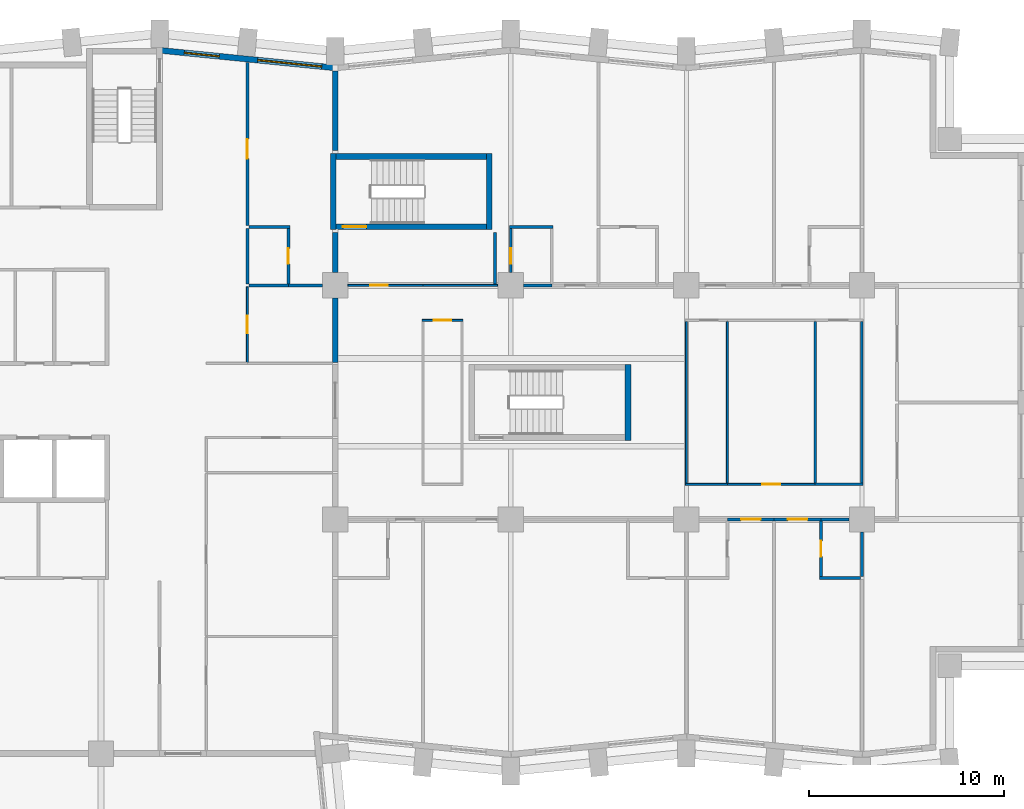
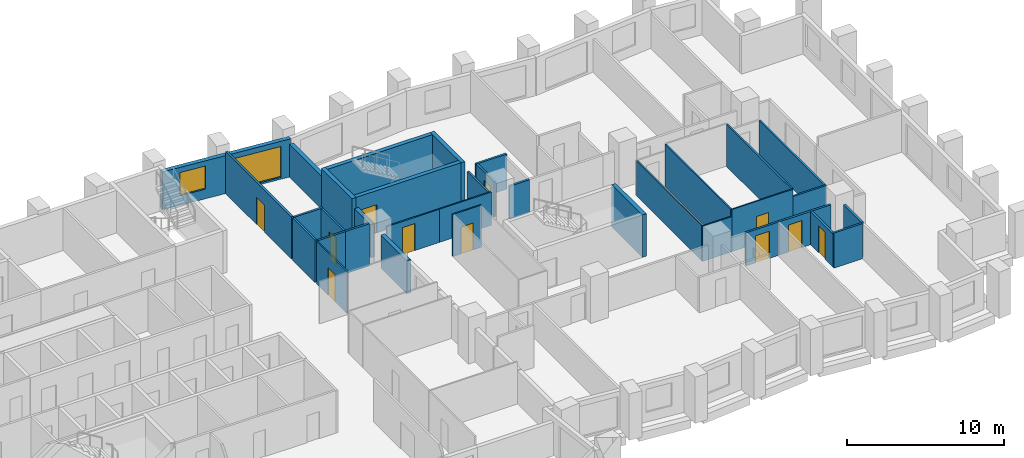
# One storey, part 8 of 12: 36 walls, 11 doors, 2 windows, 13 openings.
"""IFC4 building model written with IfcOpenShell, lengths in metres."""

from ifc_helpers import new_model, si_unit, direction, frame, frame_2d, origin, place, context, subcontext, project, spatial, rectangle, extrude, material, layer, layer_set, type_object, element, fill, save


model = new_model("IFC4")

# Units and contexts
model_context = context("Model", 3, precision=1e-05, world=origin(), true_north=direction((0.0, 1.0)))
body_context = subcontext(model_context, "Body", "Model", "MODEL_VIEW")
ifc_project = project(units=[si_unit("LENGTHUNIT", "METRE"), si_unit("AREAUNIT", "SQUARE_METRE"), si_unit("VOLUMEUNIT", "CUBIC_METRE"), si_unit("PLANEANGLEUNIT", "RADIAN"), si_unit("MASSUNIT", "GRAM", prefix="KILO")], contexts=[model_context])

# Site, building, storey
site_placement = place(None, origin())
site = spatial("IfcSite", under=ifc_project, at=site_placement, CompositionType="ELEMENT")
building_placement = place(site_placement, origin())
building = spatial("IfcBuilding", under=site, at=building_placement, Name="Brondeck Convention Tower", CompositionType="ELEMENT")
storey_placement = place(building_placement, frame((0.0, 0.0, 62.699951171875)))
storey = spatial("IfcBuildingStorey", under=building, at=storey_placement, Name="L13", CompositionType="ELEMENT", Elevation=62.699951171875)

# Walls
ifc_material_1 = material(Name="Concrete compartment wall C30/37", Category="concrete")
ifc_layer_1 = layer(ifc_material_1, 0.300048828125)
ifc_layer_set_1 = layer_set([ifc_layer_1], Name="Compartment wall 300")
wall_type_1 = type_object("IfcWallType", Name="Compartment wall 300", PredefinedType="PARTITIONING", material=ifc_layer_set_1)
wall_1_placement = place(storey_placement, frame((36.0, 50.344970703125, 0.0), z_axis=(0.0, 0.0, 1.0), x_axis=(0.0, -1.0, 0.0)))
element("IfcWall", 1, at=wall_1_placement, inside=storey, type_object=wall_type_1, Name="FLR-L13-W098", PredefinedType="PARTITIONING", context=body_context, shape_type="SweptSolid", body=[
    extrude(rectangle(XDim=3.294921875, YDim=0.300048828125, at=frame_2d((1.6474609375, 0.0))), origin(), (0.0, 0.0, 1.0), 2.580078125),
])
wall_2_placement = place(storey_placement, frame((36.0, 53.699951171875, 0.0), z_axis=(0.0, 0.0, 1.0), x_axis=(0.0, -1.0, 0.0)))
element("IfcWall", 2, at=wall_2_placement, inside=storey, type_object=wall_type_1, Name="FLR-L13-W116", PredefinedType="PARTITIONING", context=body_context, shape_type="SweptSolid", body=[
    extrude(rectangle(XDim=2.044921875, YDim=0.300048828125, at=frame_2d((1.0224609375, 0.0))), origin(), (0.0, 0.0, 1.0), 2.580078125),
])
wall_3_placement = place(storey_placement, frame((36.0, 61.97509765625, 0.0), z_axis=(0.0, 0.0, 1.0), x_axis=(0.0, -1.0, 0.0)))
element("IfcWall", 3, at=wall_3_placement, inside=storey, type_object=wall_type_1, Name="FLR-L13-W127", PredefinedType="PARTITIONING", context=body_context, shape_type="SweptSolid", body=[
    extrude(rectangle(XDim=4.0751953125, YDim=0.300048828125, at=frame_2d((2.03759765625, 0.0))), origin(), (0.0, 0.0, 1.0), 2.580078125),
])

# Wall, openings, windows
ifc_material_2 = material(Name="Precast concrete C50/60 bronze finish", Category="concrete")
ifc_layer_2 = layer(ifc_material_2, 0.070068359375, Name="Bronze precast facing")
ifc_material_3 = material(Name="Mineral wool")
ifc_layer_3 = layer(ifc_material_3, 0.159912109375, Name="Insulation")
ifc_material_4 = material(Name="Concrete C35/45", Category="concrete")
ifc_layer_4 = layer(ifc_material_4, 0.070068359375, Name="Backing")
ifc_layer_set_2 = layer_set([ifc_layer_2, ifc_layer_3, ifc_layer_4], Name="External infill wall, precast concrete C50/60 bronze facing")
wall_type_2 = type_object("IfcWallType", Name="External infill wall, precast concrete C50/60 bronze facing", PredefinedType="SOLIDWALL", material=ifc_layer_set_2)
wall_4_placement = place(storey_placement, frame((27.064697265625, 63.039306640625, 0.0), z_axis=(0.0, 0.0, 1.0), x_axis=(0.995036379926, -0.099511821531, 0.0)))
wall_4 = element("IfcWall", 4, at=wall_4_placement, inside=storey, type_object=wall_type_2, Name="ENV-EW-L13-P0-A-N-07", PredefinedType="SOLIDWALL", context=body_context, shape_type="SweptSolid", body=[
    extrude(rectangle(XDim=8.949951171875, YDim=0.300048828125, at=frame_2d((4.47509765625, 0.0))), origin(), (0.0, 0.0, 1.0), 2.949951171875),
])
opening_1_placement = place(wall_4_placement, frame((1.211181640625, 0.0, 0.75)))
opening_1 = element("IfcOpeningElement", 5, at=opening_1_placement, cuts=wall_4, Name="Opening W10", PredefinedType="OPENING", context=body_context, shape_type="SweptSolid", body=[
    extrude(rectangle(XDim=1.800048828125, YDim=1.800048828125, at=frame_2d((0.89990234375, 0.89990234375))), frame((0.0, 0.159912109375, 0.0), z_axis=(0.0, -1.0, 0.0), x_axis=(1.0, 0.0, 0.0)), (0.0, 0.0, 1.0), 0.320068359375),
])
opening_2_placement = place(wall_4_placement, frame((4.983642578125, 0.0, 0.14990234375)))
opening_2 = element("IfcOpeningElement", 6, at=opening_2_placement, cuts=wall_4, Name="Opening W9", PredefinedType="OPENING", context=body_context, shape_type="SweptSolid", body=[
    extrude(rectangle(XDim=3.300048828125, YDim=2.39990234375, at=frame_2d((1.64990234375, 1.199951171875))), frame((0.0, 0.159912109375, 0.0), z_axis=(0.0, -1.0, 0.0), x_axis=(1.0, 0.0, 0.0)), (0.0, 0.0, 1.0), 0.320068359375),
])
ifc_material_5 = material(Name="Bronze tinted double glazing", Category="glass")
window_type_1 = type_object("IfcWindowType", Name="Glazed flute window, bronze tinted", PartitioningType="SINGLE_PANEL", PredefinedType="WINDOW", material=ifc_material_5)
window_1_placement = place(opening_2_placement, origin())
window_1 = element("IfcWindow", 7, at=window_1_placement, inside=storey, type_object=window_type_1, Name="ENV-WN-L13-P0-A-N-07", OverallHeight=2.39990234375, OverallWidth=3.300048828125, PartitioningType="SINGLE_PANEL", PredefinedType="WINDOW", context=body_context, shape_type="SweptSolid", body=[
    extrude(rectangle(XDim=3.300048828125, YDim=2.39990234375, at=frame_2d((1.64990234375, 1.199951171875))), frame((0.0, 0.030029296875, 0.0), z_axis=(0.0, -1.0, 0.0), x_axis=(1.0, 0.0, 0.0)), (0.0, 0.0, 1.0), 0.06005859375),
])
fill(opening_2, window_1)
window_type_2 = type_object("IfcWindowType", Name="Punched window, bronze tinted", PartitioningType="SINGLE_PANEL", PredefinedType="WINDOW", material=ifc_material_5)
window_2_placement = place(opening_1_placement, origin())
window_2 = element("IfcWindow", 8, at=window_2_placement, inside=storey, type_object=window_type_2, Name="ENV-WN-L13-P0-A-N-06", OverallHeight=1.800048828125, OverallWidth=1.800048828125, PartitioningType="SINGLE_PANEL", PredefinedType="WINDOW", context=body_context, shape_type="SweptSolid", body=[
    extrude(rectangle(XDim=1.800048828125, YDim=1.800048828125, at=frame_2d((0.89990234375, 0.89990234375))), frame((0.0, 0.030029296875, 0.0), z_axis=(0.0, -1.0, 0.0), x_axis=(1.0, 0.0, 0.0)), (0.0, 0.0, 1.0), 0.06005859375),
])
fill(opening_1, window_2)

# Walls
ifc_material_6 = material(Name="Double gypsum board acoustic wall")
ifc_layer_5 = layer(ifc_material_6, 0.14990234375)
ifc_layer_set_3 = layer_set([ifc_layer_5], Name="Guest room party wall 150")
wall_type_3 = type_object("IfcWallType", Name="Guest room party wall 150", PredefinedType="PARTITIONING", material=ifc_layer_set_3)
wall_5_placement = place(storey_placement, frame((60.824951171875, 36.0, 0.0), z_axis=(0.0, 0.0, 1.0), x_axis=(1.0, 0.0, 0.0)))
element("IfcWall", 9, at=wall_5_placement, inside=storey, type_object=wall_type_3, Name="FLR-L13-W053", PredefinedType="PARTITIONING", context=body_context, shape_type="SweptSolid", body=[
    extrude(rectangle(XDim=2.10009765625, YDim=0.14990234375, at=frame_2d((1.050048828125, 0.0))), origin(), (0.0, 0.0, 1.0), 2.72998046875),
])
wall_6_placement = place(storey_placement, frame((63.0, 38.344970703125, 0.0), z_axis=(0.0, 0.0, 1.0), x_axis=(0.0, -1.0, 0.0)))
element("IfcWall", 10, at=wall_6_placement, inside=storey, type_object=wall_type_3, Name="FLR-L13-W058", PredefinedType="PARTITIONING", context=body_context, shape_type="SweptSolid", body=[
    extrude(rectangle(XDim=2.27001953125, YDim=0.14990234375, at=frame_2d((1.135009765625, 0.0))), origin(), (0.0, 0.0, 1.0), 2.72998046875),
])

# Wall, opening, door
wall_7_placement = place(storey_placement, frame((60.89990234375, 38.925048828125, 0.0), z_axis=(0.0, 0.0, 1.0), x_axis=(0.0, -1.0, 0.0)))
wall_7 = element("IfcWall", 11, at=wall_7_placement, inside=storey, type_object=wall_type_3, Name="FLR-L13-W062", PredefinedType="PARTITIONING", context=body_context, shape_type="SweptSolid", body=[
    extrude(rectangle(XDim=2.85009765625, YDim=0.14990234375, at=frame_2d((1.425048828125, 0.0))), origin(), (0.0, 0.0, 1.0), 2.580078125),
])
opening_3_placement = place(wall_7_placement, frame((1.02490234375, 0.0, 0.0)))
opening_3 = element("IfcOpeningElement", 12, at=opening_3_placement, cuts=wall_7, Name="Opening H3-015", PredefinedType="OPENING", context=body_context, shape_type="SweptSolid", body=[
    extrude(rectangle(XDim=0.800048828125, YDim=2.10009765625, at=frame_2d((0.39990234375, 1.050048828125))), frame((0.0, 0.0849609375, 0.0), z_axis=(0.0, -1.0, 0.0), x_axis=(1.0, 0.0, 0.0)), (0.0, 0.0, 1.0), 0.169921875),
])
ifc_material_7 = material(Name="Solid timber door leaf", Category="wood")
door_type_1 = type_object("IfcDoorType", Name="En-suite door 800", OperationType="NOTDEFINED", PredefinedType="DOOR", material=ifc_material_7)
door_1_placement = place(opening_3_placement, origin())
door_1 = element("IfcDoor", 13, at=door_1_placement, inside=storey, type_object=door_type_1, Name="Door H3-015", OperationType="SINGLE_SWING_LEFT", OverallHeight=2.10009765625, OverallWidth=0.800048828125, PredefinedType="DOOR", context=body_context, shape_type="SweptSolid", body=[
    extrude(rectangle(XDim=0.800048828125, YDim=2.10009765625, at=frame_2d((0.39990234375, 1.050048828125))), frame((0.0, 0.02490234375, 0.0), z_axis=(0.0, -1.0, 0.0), x_axis=(1.0, 0.0, 0.0)), (0.0, 0.0, 1.0), 0.050048828125),
])
fill(opening_3, door_1)

wall_8_placement = place(storey_placement, frame((58.5, 39.0, 0.0), z_axis=(0.0, 0.0, 1.0), x_axis=(-1.0, 0.0, 0.0)))
wall_8 = element("IfcWall", 14, at=wall_8_placement, inside=storey, type_object=wall_type_3, Name="FLR-L13-W069", PredefinedType="PARTITIONING", context=body_context, shape_type="SweptSolid", body=[
    extrude(rectangle(XDim=2.39990234375, YDim=0.14990234375, at=frame_2d((1.199951171875, 0.0))), origin(), (0.0, 0.0, 1.0), 2.580078125),
])
opening_4_placement = place(wall_8_placement, frame((0.699951171875, 0.0, 0.0)))
opening_4 = element("IfcOpeningElement", 15, at=opening_4_placement, cuts=wall_8, Name="Opening H3-012", PredefinedType="OPENING", context=body_context, shape_type="SweptSolid", body=[
    extrude(rectangle(XDim=1.0, YDim=2.10009765625, at=frame_2d((0.5, 1.050048828125))), frame((0.0, 0.0849609375, 0.0), z_axis=(0.0, -1.0, 0.0), x_axis=(1.0, 0.0, 0.0)), (0.0, 0.0, 1.0), 0.169921875),
])
ifc_material_8 = material(Name="Solid timber fire door leaf", Category="wood")
door_type_2 = type_object("IfcDoorType", Name="Guest room door 1000", OperationType="NOTDEFINED", PredefinedType="DOOR", material=ifc_material_8)
door_2_placement = place(opening_4_placement, origin())
door_2 = element("IfcDoor", 16, at=door_2_placement, inside=storey, type_object=door_type_2, Name="Door H3-012", OperationType="SINGLE_SWING_LEFT", OverallHeight=2.10009765625, OverallWidth=1.0, PredefinedType="DOOR", context=body_context, shape_type="SweptSolid", body=[
    extrude(rectangle(XDim=1.0, YDim=2.10009765625, at=frame_2d((0.5, 1.050048828125))), frame((0.0, 0.02490234375, 0.0), z_axis=(0.0, -1.0, 0.0), x_axis=(1.0, 0.0, 0.0)), (0.0, 0.0, 1.0), 0.050048828125),
])
fill(opening_4, door_2)

wall_9_placement = place(storey_placement, frame((60.89990234375, 39.0, 0.0), z_axis=(0.0, 0.0, 1.0), x_axis=(-1.0, 0.0, 0.0)))
wall_9 = element("IfcWall", 17, at=wall_9_placement, inside=storey, type_object=wall_type_3, Name="FLR-L13-W070", PredefinedType="PARTITIONING", context=body_context, shape_type="SweptSolid", body=[
    extrude(rectangle(XDim=2.39990234375, YDim=0.14990234375, at=frame_2d((1.199951171875, 0.0))), origin(), (0.0, 0.0, 1.0), 2.580078125),
])
opening_5_placement = place(wall_9_placement, frame((0.699951171875, 0.0, 0.0)))
opening_5 = element("IfcOpeningElement", 18, at=opening_5_placement, cuts=wall_9, Name="Opening H3-014", PredefinedType="OPENING", context=body_context, shape_type="SweptSolid", body=[
    extrude(rectangle(XDim=1.0, YDim=2.10009765625, at=frame_2d((0.5, 1.050048828125))), frame((0.0, 0.0849609375, 0.0), z_axis=(0.0, -1.0, 0.0), x_axis=(1.0, 0.0, 0.0)), (0.0, 0.0, 1.0), 0.169921875),
])
door_3_placement = place(opening_5_placement, origin())
door_3 = element("IfcDoor", 19, at=door_3_placement, inside=storey, type_object=door_type_2, Name="Door H3-014", OperationType="SINGLE_SWING_LEFT", OverallHeight=2.10009765625, OverallWidth=1.0, PredefinedType="DOOR", context=body_context, shape_type="SweptSolid", body=[
    extrude(rectangle(XDim=1.0, YDim=2.10009765625, at=frame_2d((0.5, 1.050048828125))), frame((0.0, 0.02490234375, 0.0), z_axis=(0.0, -1.0, 0.0), x_axis=(1.0, 0.0, 0.0)), (0.0, 0.0, 1.0), 0.050048828125),
])
fill(opening_5, door_3)

# Walls
wall_10_placement = place(storey_placement, frame((62.344970703125, 39.0, 0.0), z_axis=(0.0, 0.0, 1.0), x_axis=(-1.0, 0.0, 0.0)))
element("IfcWall", 20, at=wall_10_placement, inside=storey, type_object=wall_type_3, Name="FLR-L13-W071", PredefinedType="PARTITIONING", context=body_context, shape_type="SweptSolid", body=[
    extrude(rectangle(XDim=1.445068359375, YDim=0.14990234375, at=frame_2d((0.72265625, 0.0))), origin(), (0.0, 0.0, 1.0), 2.580078125),
])
wall_11_placement = place(storey_placement, frame((31.574951171875, 51.0, 0.0), z_axis=(0.0, 0.0, 1.0), x_axis=(1.0, 0.0, 0.0)))
element("IfcWall", 21, at=wall_11_placement, inside=storey, type_object=wall_type_3, Name="FLR-L13-W101", PredefinedType="PARTITIONING", context=body_context, shape_type="SweptSolid", body=[
    extrude(rectangle(XDim=2.025146484375, YDim=0.14990234375, at=frame_2d((1.0126953125, 0.0))), origin(), (0.0, 0.0, 1.0), 3.280029296875),
])
wall_12_placement = place(storey_placement, frame((33.60009765625, 51.0, 0.0), z_axis=(0.0, 0.0, 1.0), x_axis=(1.0, 0.0, 0.0)))
element("IfcWall", 22, at=wall_12_placement, inside=storey, type_object=wall_type_3, Name="FLR-L13-W102", PredefinedType="PARTITIONING", context=body_context, shape_type="SweptSolid", body=[
    extrude(rectangle(XDim=1.744873046875, YDim=0.14990234375, at=frame_2d((0.87255859375, 0.0))), origin(), (0.0, 0.0, 1.0), 3.280029296875),
])
wall_13_placement = place(storey_placement, frame((45.655029296875, 51.0, 0.0), z_axis=(0.0, 0.0, 1.0), x_axis=(1.0, 0.0, 0.0)))
element("IfcWall", 23, at=wall_13_placement, inside=storey, type_object=wall_type_3, Name="FLR-L13-W105", PredefinedType="PARTITIONING", context=body_context, shape_type="SweptSolid", body=[
    extrude(rectangle(XDim=1.445068359375, YDim=0.14990234375, at=frame_2d((0.72265625, 0.0))), origin(), (0.0, 0.0, 1.0), 2.580078125),
])

# Wall, opening, door
wall_14_placement = place(storey_placement, frame((33.60009765625, 51.074951171875, 0.0), z_axis=(0.0, 0.0, 1.0), x_axis=(0.0, 1.0, 0.0)))
wall_14 = element("IfcWall", 24, at=wall_14_placement, inside=storey, type_object=wall_type_3, Name="FLR-L13-W113", PredefinedType="PARTITIONING", context=body_context, shape_type="SweptSolid", body=[
    extrude(rectangle(XDim=2.85009765625, YDim=0.14990234375, at=frame_2d((1.425048828125, 0.0))), origin(), (0.0, 0.0, 1.0), 3.280029296875),
])
opening_6_placement = place(wall_14_placement, frame((1.02490234375, 0.0, 0.0)))
opening_6 = element("IfcOpeningElement", 25, at=opening_6_placement, cuts=wall_14, Name="Opening H3-034", PredefinedType="OPENING", context=body_context, shape_type="SweptSolid", body=[
    extrude(rectangle(XDim=0.800048828125, YDim=2.10009765625, at=frame_2d((0.39990234375, 1.050048828125))), frame((0.0, 0.0849609375, 0.0), z_axis=(0.0, -1.0, 0.0), x_axis=(1.0, 0.0, 0.0)), (0.0, 0.0, 1.0), 0.169921875),
])
door_4_placement = place(opening_6_placement, origin())
door_4 = element("IfcDoor", 26, at=door_4_placement, inside=storey, type_object=door_type_1, Name="Door H3-034", OperationType="SINGLE_SWING_LEFT", OverallHeight=2.10009765625, OverallWidth=0.800048828125, PredefinedType="DOOR", context=body_context, shape_type="SweptSolid", body=[
    extrude(rectangle(XDim=0.800048828125, YDim=2.10009765625, at=frame_2d((0.39990234375, 1.050048828125))), frame((0.0, 0.02490234375, 0.0), z_axis=(0.0, -1.0, 0.0), x_axis=(1.0, 0.0, 0.0)), (0.0, 0.0, 1.0), 0.050048828125),
])
fill(opening_6, door_4)

# Walls
wall_15_placement = place(storey_placement, frame((44.199951171875, 53.699951171875, 0.0), z_axis=(0.0, 0.0, 1.0), x_axis=(0.0, -1.0, 0.0)))
element("IfcWall", 27, at=wall_15_placement, inside=storey, type_object=wall_type_3, Name="FLR-L13-W117", PredefinedType="PARTITIONING", context=body_context, shape_type="SweptSolid", body=[
    extrude(rectangle(XDim=2.625, YDim=0.14990234375, at=frame_2d((1.3125, 0.0))), origin(), (0.0, 0.0, 1.0), 2.580078125),
])
wall_16_placement = place(storey_placement, frame((31.5, 53.925048828125, 0.0), z_axis=(0.0, 0.0, 1.0), x_axis=(0.0, -1.0, 0.0)))
element("IfcWall", 28, at=wall_16_placement, inside=storey, type_object=wall_type_3, Name="FLR-L13-W118", PredefinedType="PARTITIONING", context=body_context, shape_type="SweptSolid", body=[
    extrude(rectangle(XDim=2.85009765625, YDim=0.14990234375, at=frame_2d((1.425048828125, 0.0))), origin(), (0.0, 0.0, 1.0), 3.280029296875),
])

# Wall, opening, door
wall_17_placement = place(storey_placement, frame((45.0, 53.925048828125, 0.0), z_axis=(0.0, 0.0, 1.0), x_axis=(0.0, -1.0, 0.0)))
wall_17 = element("IfcWall", 29, at=wall_17_placement, inside=storey, type_object=wall_type_3, Name="FLR-L13-W119", PredefinedType="PARTITIONING", context=body_context, shape_type="SweptSolid", body=[
    extrude(rectangle(XDim=2.27001953125, YDim=0.14990234375, at=frame_2d((1.135009765625, 0.0))), origin(), (0.0, 0.0, 1.0), 2.72998046875),
])
opening_7_placement = place(wall_17_placement, frame((1.02490234375, 0.0, 0.0)))
opening_7 = element("IfcOpeningElement", 30, at=opening_7_placement, cuts=wall_17, Name="Opening H3-003", PredefinedType="OPENING", context=body_context, shape_type="SweptSolid", body=[
    extrude(rectangle(XDim=0.800048828125, YDim=2.10009765625, at=frame_2d((0.39990234375, 1.050048828125))), frame((0.0, 0.0849609375, 0.0), z_axis=(0.0, -1.0, 0.0), x_axis=(1.0, 0.0, 0.0)), (0.0, 0.0, 1.0), 0.169921875),
])
door_5_placement = place(opening_7_placement, origin())
door_5 = element("IfcDoor", 31, at=door_5_placement, inside=storey, type_object=door_type_1, Name="Door H3-003", OperationType="SINGLE_SWING_RIGHT", OverallHeight=2.10009765625, OverallWidth=0.800048828125, PredefinedType="DOOR", context=body_context, shape_type="SweptSolid", body=[
    extrude(rectangle(XDim=0.800048828125, YDim=2.10009765625, at=frame_2d((0.39990234375, 1.050048828125))), frame((0.0, 0.02490234375, 0.0), z_axis=(0.0, -1.0, 0.0), x_axis=(1.0, 0.0, 0.0)), (0.0, 0.0, 1.0), 0.050048828125),
])
fill(opening_7, door_5)

# Walls
wall_18_placement = place(storey_placement, frame((33.675048828125, 54.0, 0.0), z_axis=(0.0, 0.0, 1.0), x_axis=(-1.0, 0.0, 0.0)))
element("IfcWall", 32, at=wall_18_placement, inside=storey, type_object=wall_type_3, Name="FLR-L13-W123", PredefinedType="PARTITIONING", context=body_context, shape_type="SweptSolid", body=[
    extrude(rectangle(XDim=2.10009765625, YDim=0.14990234375, at=frame_2d((1.050048828125, 0.0))), origin(), (0.0, 0.0, 1.0), 3.280029296875),
])
wall_19_placement = place(storey_placement, frame((47.175048828125, 54.0, 0.0), z_axis=(0.0, 0.0, 1.0), x_axis=(-1.0, 0.0, 0.0)))
element("IfcWall", 33, at=wall_19_placement, inside=storey, type_object=wall_type_3, Name="FLR-L13-W124", PredefinedType="PARTITIONING", context=body_context, shape_type="SweptSolid", body=[
    extrude(rectangle(XDim=2.25, YDim=0.14990234375, at=frame_2d((1.125, 0.0))), origin(), (0.0, 0.0, 1.0), 2.72998046875),
])

# Wall, opening, door
wall_20_placement = place(storey_placement, frame((31.5, 62.425048828125, 0.0), z_axis=(0.0, 0.0, 1.0), x_axis=(0.0, -1.0, 0.0)))
wall_20 = element("IfcWall", 34, at=wall_20_placement, inside=storey, type_object=wall_type_3, Name="FLR-L13-W128", PredefinedType="PARTITIONING", context=body_context, shape_type="SweptSolid", body=[
    extrude(rectangle(XDim=8.35009765625, YDim=0.14990234375, at=frame_2d((4.175048828125, 0.0))), origin(), (0.0, 0.0, 1.0), 3.280029296875),
])
opening_8_placement = place(wall_20_placement, frame((3.925048828125, 0.0, 0.0)))
opening_8 = element("IfcOpeningElement", 35, at=opening_8_placement, cuts=wall_20, Name="Opening H3-033", PredefinedType="OPENING", context=body_context, shape_type="SweptSolid", body=[
    extrude(rectangle(XDim=1.0, YDim=2.10009765625, at=frame_2d((0.5, 1.050048828125))), frame((0.0, 0.0849609375, 0.0), z_axis=(0.0, -1.0, 0.0), x_axis=(1.0, 0.0, 0.0)), (0.0, 0.0, 1.0), 0.169921875),
])
door_6_placement = place(opening_8_placement, origin())
door_6 = element("IfcDoor", 36, at=door_6_placement, inside=storey, type_object=door_type_2, Name="Door H3-033", OperationType="SINGLE_SWING_LEFT", OverallHeight=2.10009765625, OverallWidth=1.0, PredefinedType="DOOR", context=body_context, shape_type="SweptSolid", body=[
    extrude(rectangle(XDim=1.0, YDim=2.10009765625, at=frame_2d((0.5, 1.050048828125))), frame((0.0, 0.02490234375, 0.0), z_axis=(0.0, -1.0, 0.0), x_axis=(1.0, 0.0, 0.0)), (0.0, 0.0, 1.0), 0.050048828125),
])
fill(opening_8, door_6)

# Walls
ifc_material_9 = material(Name="Gypsum board shaft wall on steel studs", Category="steel")
ifc_layer_6 = layer(ifc_material_9, 0.125)
ifc_layer_set_4 = layer_set([ifc_layer_6], Name="Riser wall 125")
wall_type_4 = type_object("IfcWallType", Name="Riser wall 125", PredefinedType="PARTITIONING", material=ifc_layer_set_4)
wall_21_placement = place(storey_placement, frame((60.60009765625, 40.800048828125, 0.0), z_axis=(0.0, 0.0, 1.0), x_axis=(1.0, 0.0, 0.0)))
element("IfcWall", 37, at=wall_21_placement, inside=storey, type_object=wall_type_4, Name="FLR-L13-W076", PredefinedType="PARTITIONING", context=body_context, shape_type="SweptSolid", body=[
    extrude(rectangle(XDim=2.46240234375, YDim=0.125, at=frame_2d((1.231201171875, 0.0))), origin(), (0.0, 0.0, 1.0), 2.72998046875),
])
wall_22_placement = place(storey_placement, frame((63.0, 40.862548828125, 0.0), z_axis=(0.0, 0.0, 1.0), x_axis=(0.0, 1.0, 0.0)))
element("IfcWall", 38, at=wall_22_placement, inside=storey, type_object=wall_type_4, Name="FLR-L13-W077", PredefinedType="PARTITIONING", context=body_context, shape_type="SweptSolid", body=[
    extrude(rectangle(XDim=8.27490234375, YDim=0.125, at=frame_2d((4.137451171875, 0.0))), origin(), (0.0, 0.0, 1.0), 2.72998046875),
])
wall_23_placement = place(storey_placement, frame((60.60009765625, 49.137451171875, 0.0), z_axis=(0.0, 0.0, 1.0), x_axis=(0.0, -1.0, 0.0)))
element("IfcWall", 39, at=wall_23_placement, inside=storey, type_object=wall_type_4, Name="FLR-L13-W089", PredefinedType="PARTITIONING", context=body_context, shape_type="SweptSolid", body=[
    extrude(rectangle(XDim=8.27490234375, YDim=0.125, at=frame_2d((4.137451171875, 0.0))), origin(), (0.0, 0.0, 1.0), 3.280029296875),
])
ifc_material_10 = material(Name="Gypsum board partition on steel studs", Category="steel")
ifc_layer_7 = layer(ifc_material_10, 0.10009765625)
ifc_layer_set_5 = layer_set([ifc_layer_7], Name="Room partition 100")
wall_type_5 = type_object("IfcWallType", Name="Room partition 100", PredefinedType="PARTITIONING", material=ifc_layer_set_5)
wall_24_placement = place(storey_placement, frame((53.949951171875, 40.800048828125, 0.0), z_axis=(0.0, 0.0, 1.0), x_axis=(1.0, 0.0, 0.0)))
element("IfcWall", 40, at=wall_24_placement, inside=storey, type_object=wall_type_5, Name="FLR-L13-W074", PredefinedType="PARTITIONING", context=body_context, shape_type="SweptSolid", body=[
    extrude(rectangle(XDim=2.150146484375, YDim=0.10009765625, at=frame_2d((1.0751953125, 0.0))), origin(), (0.0, 0.0, 1.0), 2.72998046875),
])

# Wall, opening, door
wall_25_placement = place(storey_placement, frame((56.10009765625, 40.800048828125, 0.0), z_axis=(0.0, 0.0, 1.0), x_axis=(1.0, 0.0, 0.0)))
wall_25 = element("IfcWall", 41, at=wall_25_placement, inside=storey, type_object=wall_type_5, Name="FLR-L13-W075", PredefinedType="PARTITIONING", context=body_context, shape_type="SweptSolid", body=[
    extrude(rectangle(XDim=4.5, YDim=0.10009765625, at=frame_2d((2.25, 0.0))), origin(), (0.0, 0.0, 1.0), 3.280029296875),
])
opening_9_placement = place(wall_25_placement, frame((1.800048828125, 0.0, 0.0)))
opening_9 = element("IfcOpeningElement", 42, at=opening_9_placement, cuts=wall_25, Name="Opening H3-018", PredefinedType="OPENING", context=body_context, shape_type="SweptSolid", body=[
    extrude(rectangle(XDim=0.89990234375, YDim=2.10009765625, at=frame_2d((0.449951171875, 1.050048828125))), frame((0.0, 0.06005859375, 0.0), z_axis=(0.0, -1.0, 0.0), x_axis=(1.0, 0.0, 0.0)), (0.0, 0.0, 1.0), 0.1201171875),
])
door_type_3 = type_object("IfcDoorType", Name="Single door 900", OperationType="NOTDEFINED", PredefinedType="DOOR", material=ifc_material_7)
door_7_placement = place(opening_9_placement, origin())
door_7 = element("IfcDoor", 43, at=door_7_placement, inside=storey, type_object=door_type_3, Name="Door H3-018", OperationType="SINGLE_SWING_LEFT", OverallHeight=2.10009765625, OverallWidth=0.89990234375, PredefinedType="DOOR", context=body_context, shape_type="SweptSolid", body=[
    extrude(rectangle(XDim=0.89990234375, YDim=2.10009765625, at=frame_2d((0.449951171875, 1.050048828125))), frame((0.0, 0.02490234375, 0.0), z_axis=(0.0, -1.0, 0.0), x_axis=(1.0, 0.0, 0.0)), (0.0, 0.0, 1.0), 0.050048828125),
])
fill(opening_9, door_7)

# Walls
wall_26_placement = place(storey_placement, frame((54.0, 49.14990234375, 0.0), z_axis=(0.0, 0.0, 1.0), x_axis=(0.0, -1.0, 0.0)))
element("IfcWall", 44, at=wall_26_placement, inside=storey, type_object=wall_type_5, Name="FLR-L13-W092", PredefinedType="PARTITIONING", context=body_context, shape_type="SweptSolid", body=[
    extrude(rectangle(XDim=8.2998046875, YDim=0.10009765625, at=frame_2d((4.14990234375, 0.0))), origin(), (0.0, 0.0, 1.0), 2.72998046875),
])
wall_27_placement = place(storey_placement, frame((56.10009765625, 49.14990234375, 0.0), z_axis=(0.0, 0.0, 1.0), x_axis=(0.0, -1.0, 0.0)))
element("IfcWall", 45, at=wall_27_placement, inside=storey, type_object=wall_type_5, Name="FLR-L13-W093", PredefinedType="PARTITIONING", context=body_context, shape_type="SweptSolid", body=[
    extrude(rectangle(XDim=8.2998046875, YDim=0.10009765625, at=frame_2d((4.14990234375, 0.0))), origin(), (0.0, 0.0, 1.0), 3.280029296875),
])

# Wall, opening, door
wall_28_placement = place(storey_placement, frame((42.550048828125, 49.199951171875, 0.0), z_axis=(0.0, 0.0, 1.0), x_axis=(-1.0, 0.0, 0.0)))
wall_28 = element("IfcWall", 46, at=wall_28_placement, inside=storey, type_object=wall_type_5, Name="FLR-L13-W094", PredefinedType="PARTITIONING", context=body_context, shape_type="SweptSolid", body=[
    extrude(rectangle(XDim=2.10009765625, YDim=0.10009765625, at=frame_2d((1.050048828125, 0.0))), origin(), (0.0, 0.0, 1.0), 3.280029296875),
])
opening_10_placement = place(wall_28_placement, frame((0.60009765625, 0.0, 0.0)))
opening_10 = element("IfcOpeningElement", 47, at=opening_10_placement, cuts=wall_28, Name="Opening H3-016", PredefinedType="OPENING", context=body_context, shape_type="SweptSolid", body=[
    extrude(rectangle(XDim=0.89990234375, YDim=2.10009765625, at=frame_2d((0.449951171875, 1.050048828125))), frame((0.0, 0.06005859375, 0.0), z_axis=(0.0, -1.0, 0.0), x_axis=(1.0, 0.0, 0.0)), (0.0, 0.0, 1.0), 0.1201171875),
])
door_8_placement = place(opening_10_placement, origin())
door_8 = element("IfcDoor", 48, at=door_8_placement, inside=storey, type_object=door_type_3, Name="Door H3-016", OperationType="SINGLE_SWING_LEFT", OverallHeight=2.10009765625, OverallWidth=0.89990234375, PredefinedType="DOOR", context=body_context, shape_type="SweptSolid", body=[
    extrude(rectangle(XDim=0.89990234375, YDim=2.10009765625, at=frame_2d((0.449951171875, 1.050048828125))), frame((0.0, 0.02490234375, 0.0), z_axis=(0.0, -1.0, 0.0), x_axis=(1.0, 0.0, 0.0)), (0.0, 0.0, 1.0), 0.050048828125),
])
fill(opening_10, door_8)

wall_29_placement = place(storey_placement, frame((31.5, 50.925048828125, 0.0), z_axis=(0.0, 0.0, 1.0), x_axis=(0.0, -1.0, 0.0)))
wall_29 = element("IfcWall", 49, at=wall_29_placement, inside=storey, type_object=wall_type_5, Name="FLR-L13-W099", PredefinedType="PARTITIONING", context=body_context, shape_type="SweptSolid", body=[
    extrude(rectangle(XDim=3.875, YDim=0.10009765625, at=frame_2d((1.9375, 0.0))), origin(), (0.0, 0.0, 1.0), 3.280029296875),
])
opening_11_placement = place(wall_29_placement, frame((1.47509765625, 0.0, 0.0)))
opening_11 = element("IfcOpeningElement", 50, at=opening_11_placement, cuts=wall_29, Name="Opening H3-035", PredefinedType="OPENING", context=body_context, shape_type="SweptSolid", body=[
    extrude(rectangle(XDim=0.89990234375, YDim=2.10009765625, at=frame_2d((0.449951171875, 1.050048828125))), frame((0.0, 0.06005859375, 0.0), z_axis=(0.0, -1.0, 0.0), x_axis=(1.0, 0.0, 0.0)), (0.0, 0.0, 1.0), 0.1201171875),
])
door_9_placement = place(opening_11_placement, origin())
door_9 = element("IfcDoor", 51, at=door_9_placement, inside=storey, type_object=door_type_3, Name="Door H3-035", OperationType="SINGLE_SWING_LEFT", OverallHeight=2.10009765625, OverallWidth=0.89990234375, PredefinedType="DOOR", context=body_context, shape_type="SweptSolid", body=[
    extrude(rectangle(XDim=0.89990234375, YDim=2.10009765625, at=frame_2d((0.449951171875, 1.050048828125))), frame((0.0, 0.02490234375, 0.0), z_axis=(0.0, -1.0, 0.0), x_axis=(1.0, 0.0, 0.0)), (0.0, 0.0, 1.0), 0.050048828125),
])
fill(opening_11, door_9)

wall_30_placement = place(storey_placement, frame((40.5, 51.0, 0.0), z_axis=(0.0, 0.0, 1.0), x_axis=(-1.0, 0.0, 0.0)))
wall_30 = element("IfcWall", 52, at=wall_30_placement, inside=storey, type_object=wall_type_5, Name="FLR-L13-W103", PredefinedType="PARTITIONING", context=body_context, shape_type="SweptSolid", body=[
    extrude(rectangle(XDim=3.844970703125, YDim=0.10009765625, at=frame_2d((1.92236328125, 0.0))), origin(), (0.0, 0.0, 1.0), 2.580078125),
])
opening_12_placement = place(wall_30_placement, frame((1.800048828125, 0.0, 0.0)))
opening_12 = element("IfcOpeningElement", 53, at=opening_12_placement, cuts=wall_30, Name="Opening H3-001", PredefinedType="OPENING", context=body_context, shape_type="SweptSolid", body=[
    extrude(rectangle(XDim=0.89990234375, YDim=2.10009765625, at=frame_2d((0.449951171875, 1.050048828125))), frame((0.0, 0.06005859375, 0.0), z_axis=(0.0, -1.0, 0.0), x_axis=(1.0, 0.0, 0.0)), (0.0, 0.0, 1.0), 0.1201171875),
])
door_10_placement = place(opening_12_placement, origin())
door_10 = element("IfcDoor", 54, at=door_10_placement, inside=storey, type_object=door_type_3, Name="Door H3-001", OperationType="SINGLE_SWING_LEFT", OverallHeight=2.10009765625, OverallWidth=0.89990234375, PredefinedType="DOOR", context=body_context, shape_type="SweptSolid", body=[
    extrude(rectangle(XDim=0.89990234375, YDim=2.10009765625, at=frame_2d((0.449951171875, 1.050048828125))), frame((0.0, 0.02490234375, 0.0), z_axis=(0.0, -1.0, 0.0), x_axis=(1.0, 0.0, 0.0)), (0.0, 0.0, 1.0), 0.050048828125),
])
fill(opening_12, door_10)

# Wall
wall_31_placement = place(storey_placement, frame((44.330078125, 51.0, 0.0), z_axis=(0.0, 0.0, 1.0), x_axis=(-1.0, 0.0, 0.0)))
element("IfcWall", 55, at=wall_31_placement, inside=storey, type_object=wall_type_5, Name="FLR-L13-W104", PredefinedType="PARTITIONING", context=body_context, shape_type="SweptSolid", body=[
    extrude(rectangle(XDim=3.830078125, YDim=0.10009765625, at=frame_2d((1.9150390625, 0.0))), origin(), (0.0, 0.0, 1.0), 2.580078125),
])

# Wall, opening, door
ifc_material_11 = material(Name="Concrete C80/95", Category="concrete")
ifc_layer_8 = layer(ifc_material_11, 0.300048828125)
ifc_layer_set_6 = layer_set([ifc_layer_8], Name="Stair enclosure wall 300 Concrete C80/95")
wall_type_6 = type_object("IfcWallType", Name="Stair enclosure wall 300 Concrete C80/95", PredefinedType="SHEAR", material=ifc_layer_set_6)
wall_32_placement = place(storey_placement, frame((36.050048828125, 54.0, 0.0), z_axis=(0.0, 0.0, 1.0), x_axis=(1.0, 0.0, 0.0)))
wall_32 = element("IfcWall", 56, at=wall_32_placement, inside=storey, type_object=wall_type_6, Name="L13 core wall", PredefinedType="SHEAR", context=body_context, shape_type="SweptSolid", body=[
    extrude(rectangle(XDim=7.699951171875, YDim=0.300048828125, at=frame_2d((3.85009765625, 0.0))), origin(), (0.0, 0.0, 1.0), 3.300048828125),
])
opening_13_placement = place(wall_32_placement, frame((0.35009765625, 0.0, 0.0)))
opening_13 = element("IfcOpeningElement", 57, at=opening_13_placement, cuts=wall_32, Name="Opening C10-18", PredefinedType="OPENING", context=body_context, shape_type="SweptSolid", body=[
    extrude(rectangle(XDim=1.199951171875, YDim=2.199951171875, at=frame_2d((0.60009765625, 1.10009765625))), frame((0.0, 0.159912109375, 0.0), z_axis=(0.0, -1.0, 0.0), x_axis=(1.0, 0.0, 0.0)), (0.0, 0.0, 1.0), 0.320068359375),
])
ifc_material_12 = material(Name="Steel fire door", Category="steel")
door_type_4 = type_object("IfcDoorType", Name="Stair door 1200x2200 EI 90", OperationType="NOTDEFINED", PredefinedType="DOOR", material=ifc_material_12)
door_11_placement = place(opening_13_placement, origin())
door_11 = element("IfcDoor", 58, at=door_11_placement, inside=storey, type_object=door_type_4, Name="L13 Stair door ST-AE", OperationType="SINGLE_SWING_LEFT", OverallHeight=2.199951171875, OverallWidth=1.199951171875, PredefinedType="DOOR", context=body_context, shape_type="SweptSolid", body=[
    extrude(rectangle(XDim=1.199951171875, YDim=2.199951171875, at=frame_2d((0.60009765625, 1.10009765625))), frame((0.0, 0.02490234375, 0.0), z_axis=(0.0, -1.0, 0.0), x_axis=(1.0, 0.0, 0.0)), (0.0, 0.0, 1.0), 0.050048828125),
])
fill(opening_13, door_11)

# Walls
wall_33_placement = place(storey_placement, frame((36.050048828125, 57.60009765625, 0.0), z_axis=(0.0, 0.0, 1.0), x_axis=(1.0, 0.0, 0.0)))
element("IfcWall", 59, at=wall_33_placement, inside=storey, type_object=wall_type_6, Name="L13 core wall", PredefinedType="SHEAR", context=body_context, shape_type="SweptSolid", body=[
    extrude(rectangle(XDim=7.699951171875, YDim=0.300048828125, at=frame_2d((3.85009765625, 0.0))), origin(), (0.0, 0.0, 1.0), 3.300048828125),
])
for number, where, z_axis, x_axis, name in (
    (60, (35.89990234375, 53.85009765625, 0.0), (0.0, 0.0, 1.0), (0.0, 1.0, 0.0), "L13 core wall"),
    (61, (43.89990234375, 53.85009765625, 0.0), (0.0, 0.0, 1.0), (0.0, 1.0, 0.0), "L13 core wall"),
    (62, (51.0, 43.050048828125, 0.0), (0.0, 0.0, 1.0), (0.0, 1.0, 0.0), "L13 core wall"),
):
    element("IfcWall", number, at=place(storey_placement, frame(where, z_axis=z_axis, x_axis=x_axis)), inside=storey, type_object=wall_type_6, Name=name, PredefinedType="SHEAR", context=body_context, shape_type="SweptSolid", body=[
        extrude(rectangle(XDim=3.89990234375, YDim=0.300048828125, at=frame_2d((1.949951171875, 0.0))), origin(), (0.0, 0.0, 1.0), 3.300048828125),
    ])

save(model, "model.ifc")
